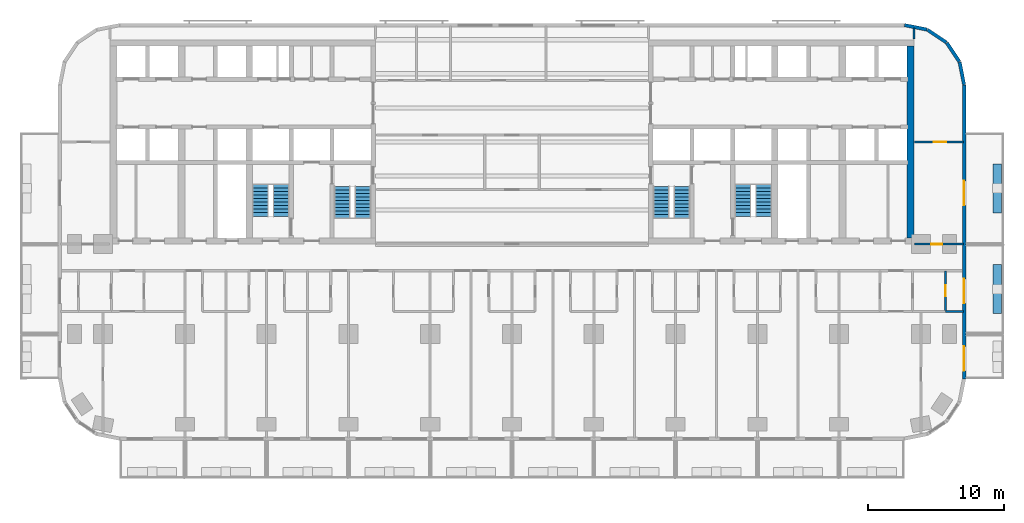
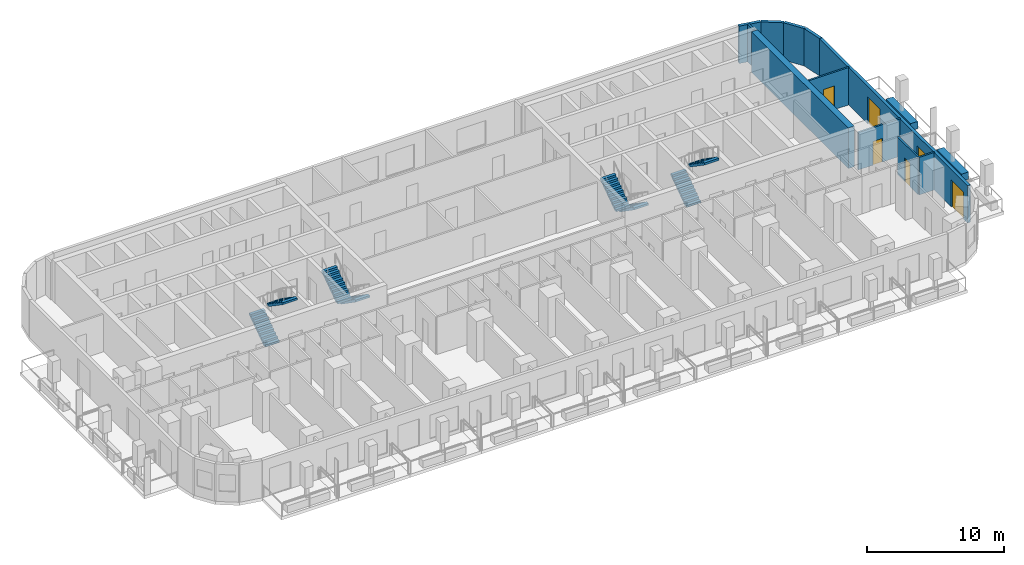
# One storey, part 10 of 15: 13 walls, 8 stair flights, 6 doors, 6 openings, 4 elements without a shape of their own.
"""IFC4 building model written with IfcOpenShell, lengths in metres."""

from ifc_helpers import new_model, si_unit, direction, frame, frame_2d, origin, place, context, subcontext, project, spatial, polyline, rectangle, outline, extrude, material, layer, layer_set, type_object, element, fill, aggregate, save


model = new_model("IFC4")

# Units and contexts
model_context = context("Model", 3, precision=1e-05, world=origin(), true_north=direction((0.0, 1.0)))
body_context = subcontext(model_context, "Body", "Model", "MODEL_VIEW")
ifc_project = project(units=[si_unit("LENGTHUNIT", "METRE"), si_unit("AREAUNIT", "SQUARE_METRE"), si_unit("VOLUMEUNIT", "CUBIC_METRE"), si_unit("PLANEANGLEUNIT", "RADIAN"), si_unit("MASSUNIT", "GRAM", prefix="KILO")], contexts=[model_context])

# Site, building, storey
site_placement = place(None, origin())
site = spatial("IfcSite", under=ifc_project, at=site_placement, CompositionType="ELEMENT")
building_placement = place(site_placement, origin())
building = spatial("IfcBuilding", under=site, at=building_placement, Name="Torana Hotel and Residences", CompositionType="ELEMENT")
storey_placement = place(building_placement, frame((0.0, 0.0, 31.199951171875)))
storey = spatial("IfcBuildingStorey", under=building, at=storey_placement, Name="L06", CompositionType="ELEMENT", Elevation=31.199951171875)

# Walls
ifc_material_1 = material(Name="Concrete C80/95", Category="concrete")
ifc_layer_1 = layer(ifc_material_1, 0.5)
ifc_layer_set_1 = layer_set([ifc_layer_1], Name="CORE WALL 500 C80/95")
wall_type_1 = type_object("IfcWallType", Name="CORE WALL 500 C80/95", PredefinedType="SHEAR", material=ifc_layer_set_1)
wall_1_placement = place(storey_placement, frame((29.25, -14.550048828125, 0.0), z_axis=(0.0, 0.0, 1.0), x_axis=(0.0, 1.0, 0.0)))
element("IfcWall", 1, at=wall_1_placement, inside=storey, type_object=wall_type_1, Name="Core wall E outer", PredefinedType="SHEAR", context=body_context, shape_type="SweptSolid", body=[
    extrude(rectangle(XDim=14.10009765625, YDim=0.5, at=frame_2d((7.050048828125, 0.0))), origin(), (0.0, 0.0, 1.0), 3.60009765625),
])
ifc_material_2 = material(Name="Black aluminium composite panel", Category="aluminium")
ifc_layer_2 = layer(ifc_material_2, 0.00390625, Name="Cladding", Category="cladding")
ifc_material_3 = material(Name="Ventilated air cavity")
ifc_layer_3 = layer(ifc_material_3, 0.0400390625, Name="Ventilated cavity", Category="cavity")
ifc_material_4 = material(Name="Mineral wool insulation")
ifc_layer_4 = layer(ifc_material_4, 0.090087890625, Name="Insulation", Category="insulation")
ifc_material_5 = material(Name="Steel S280GD", Category="steel")
ifc_layer_5 = layer(ifc_material_5, 0.092041015625, Name="Steel stud frame", Category="structure")
ifc_material_6 = material(Name="Fire rated plasterboard")
ifc_layer_6 = layer(ifc_material_6, 0.011962890625, Name="Inner board", Category="finish")
ifc_layer_7 = layer(ifc_material_6, 0.011962890625, Name="Second board", Category="finish")
ifc_layer_set_2 = layer_set([ifc_layer_2, ifc_layer_3, ifc_layer_4, ifc_layer_5, ifc_layer_6, ifc_layer_7], Name="EW1 EXTERNAL WALL BLACK METAL CLAD 250")
wall_type_2 = type_object("IfcWallType", Name="EW1 EXTERNAL WALL BLACK METAL CLAD 250", PredefinedType="SOLIDWALL", material=ifc_layer_set_2)
wall_2_placement = place(storey_placement, frame((33.172607421875, -3.30029296875, 0.0), z_axis=(0.0, 0.0, 1.0), x_axis=(-0.19513878023, 0.980775640221, 0.0)))
element("IfcWall", 2, at=wall_2_placement, inside=storey, type_object=wall_type_2, Name="External wall L06 e0.0", PredefinedType="SOLIDWALL", context=body_context, shape_type="SweptSolid", body=[
    extrude(rectangle(XDim=1.681396484375, YDim=0.25, at=frame_2d((0.8408203125, 0.0))), origin(), (0.0, 0.0, 1.0), 3.320068359375),
])
for number, where, z_axis, x_axis, name in (
    (3, (32.825927734375, -1.60595703125, 0.0), (0.0, 0.0, 1.0), (-0.55555029066, 0.831482937015, 0.0), "External wall L06 e0.1"),
    (4, (31.87109375, -0.1943359375, 0.0), (0.0, 0.0, 1.0), (-0.831482937015, 0.55555029066, 0.0), "External wall L06 e0.2"),
):
    element("IfcWall", number, at=place(storey_placement, frame(where, z_axis=z_axis, x_axis=x_axis)), inside=storey, type_object=wall_type_2, Name=name, PredefinedType="SOLIDWALL", context=body_context, shape_type="SweptSolid", body=[
        extrude(rectangle(XDim=1.65625, YDim=0.25, at=frame_2d((0.828125, 0.0))), origin(), (0.0, 0.0, 1.0), 3.320068359375),
    ])
wall_3_placement = place(storey_placement, frame((30.448974609375, 0.74462890625, 0.0), z_axis=(0.0, 0.0, 1.0), x_axis=(-0.980803419081, 0.194999110559, 0.0)))
element("IfcWall", 5, at=wall_3_placement, inside=storey, type_object=wall_type_2, Name="External wall L06 e0.3", PredefinedType="SOLIDWALL", context=body_context, shape_type="SweptSolid", body=[
    extrude(rectangle(XDim=1.681396484375, YDim=0.25, at=frame_2d((0.8408203125, 0.0))), origin(), (0.0, 0.0, 1.0), 3.320068359375),
])

# Wall, openings, doors
wall_4_placement = place(storey_placement, frame((33.175048828125, -24.87548828125, 0.0), z_axis=(0.0, 0.0, 1.0), x_axis=(0.0, 1.0, 0.0)))
wall_4 = element("IfcWall", 6, at=wall_4_placement, inside=storey, type_object=wall_type_2, Name="External wall L06 e0.19", PredefinedType="SOLIDWALL", context=body_context, shape_type="SweptSolid", body=[
    extrude(rectangle(XDim=21.55078125, YDim=0.25, at=frame_2d((10.775390625, 0.0))), origin(), (0.0, 0.0, 1.0), 3.320068359375),
])
opening_1_placement = place(wall_4_placement, frame((0.575439453125, 0.0, 0.0)))
opening_1 = element("IfcOpeningElement", 7, at=opening_1_placement, cuts=wall_4, Name="Opening L06-E11", PredefinedType="OPENING", context=body_context, shape_type="SweptSolid", body=[
    extrude(rectangle(XDim=1.800048828125, YDim=2.39990234375, at=frame_2d((0.89990234375, 1.199951171875))), frame((0.0, 0.135009765625, 0.0), z_axis=(0.0, -1.0, 0.0), x_axis=(1.0, 0.0, 0.0)), (0.0, 0.0, 1.0), 0.27001953125),
])
opening_2_placement = place(wall_4_placement, frame((5.525390625, 0.0, 0.0)))
opening_2 = element("IfcOpeningElement", 8, at=opening_2_placement, cuts=wall_4, Name="Opening L06-E12", PredefinedType="OPENING", context=body_context, shape_type="SweptSolid", body=[
    extrude(rectangle(XDim=1.800048828125, YDim=2.39990234375, at=frame_2d((0.89990234375, 1.199951171875))), frame((0.0, 0.135009765625, 0.0), z_axis=(0.0, -1.0, 0.0), x_axis=(1.0, 0.0, 0.0)), (0.0, 0.0, 1.0), 0.27001953125),
])
opening_3_placement = place(wall_4_placement, frame((12.725341796875, 0.0, 0.0)))
opening_3 = element("IfcOpeningElement", 9, at=opening_3_placement, cuts=wall_4, Name="Opening L06-E13", PredefinedType="OPENING", context=body_context, shape_type="SweptSolid", body=[
    extrude(rectangle(XDim=1.800048828125, YDim=2.39990234375, at=frame_2d((0.89990234375, 1.199951171875))), frame((0.0, 0.135009765625, 0.0), z_axis=(0.0, -1.0, 0.0), x_axis=(1.0, 0.0, 0.0)), (0.0, 0.0, 1.0), 0.27001953125),
])
ifc_material_7 = material(Name="Dark glass in black aluminium frame", Category="aluminium")
door_type_1 = type_object("IfcDoorType", Name="DB1 BALCONY DOOR 1800x2400", OperationType="DOUBLE_DOOR_SINGLE_SWING", PredefinedType="DOOR", material=ifc_material_7)
door_1_placement = place(opening_1_placement, origin())
door_1 = element("IfcDoor", 10, at=door_1_placement, inside=storey, type_object=door_type_1, Name="Balcony door L06", OperationType="DOUBLE_DOOR_SINGLE_SWING", OverallHeight=2.39990234375, OverallWidth=1.800048828125, PredefinedType="DOOR", context=body_context, shape_type="SweptSolid", body=[
    extrude(rectangle(XDim=1.800048828125, YDim=2.39990234375, at=frame_2d((0.89990234375, 1.199951171875))), frame((0.0, 0.02490234375, 0.0), z_axis=(0.0, -1.0, 0.0), x_axis=(1.0, 0.0, 0.0)), (0.0, 0.0, 1.0), 0.050048828125),
])
fill(opening_1, door_1)
door_2_placement = place(opening_2_placement, origin())
door_2 = element("IfcDoor", 11, at=door_2_placement, inside=storey, type_object=door_type_1, Name="Balcony door L06", OperationType="DOUBLE_DOOR_SINGLE_SWING", OverallHeight=2.39990234375, OverallWidth=1.800048828125, PredefinedType="DOOR", context=body_context, shape_type="SweptSolid", body=[
    extrude(rectangle(XDim=1.800048828125, YDim=2.39990234375, at=frame_2d((0.89990234375, 1.199951171875))), frame((0.0, 0.02490234375, 0.0), z_axis=(0.0, -1.0, 0.0), x_axis=(1.0, 0.0, 0.0)), (0.0, 0.0, 1.0), 0.050048828125),
])
fill(opening_2, door_2)
door_3_placement = place(opening_3_placement, origin())
door_3 = element("IfcDoor", 12, at=door_3_placement, inside=storey, type_object=door_type_1, Name="Balcony door L06", OperationType="DOUBLE_DOOR_SINGLE_SWING", OverallHeight=2.39990234375, OverallWidth=1.800048828125, PredefinedType="DOOR", context=body_context, shape_type="SweptSolid", body=[
    extrude(rectangle(XDim=1.800048828125, YDim=2.39990234375, at=frame_2d((0.89990234375, 1.199951171875))), frame((0.0, 0.02490234375, 0.0), z_axis=(0.0, -1.0, 0.0), x_axis=(1.0, 0.0, 0.0)), (0.0, 0.0, 1.0), 0.050048828125),
])
fill(opening_3, door_3)

# Wall, opening, door
ifc_material_8 = material(Name="Gypsum plaster")
ifc_layer_8 = layer(ifc_material_8, 0.014892578125, Name="Plaster", Category="finish")
ifc_material_9 = material(Name="Concrete blockwork", Category="masonry")
ifc_layer_9 = layer(ifc_material_9, 0.1201171875, Name="Blockwork", Category="structure")
ifc_layer_10 = layer(ifc_material_8, 0.014892578125, Name="Plaster", Category="finish")
ifc_layer_set_3 = layer_set([ifc_layer_8, ifc_layer_9, ifc_layer_10], Name="FIRE PARTITION 150 BLOCKWORK")
wall_type_3 = type_object("IfcWallType", Name="FIRE PARTITION 150 BLOCKWORK", PredefinedType="PARTITIONING", material=ifc_layer_set_3)
wall_5_placement = place(storey_placement, frame((29.550048828125, -15.0, 0.0), z_axis=(0.0, 0.0, 1.0), x_axis=(1.0, 0.0, 0.0)))
wall_5 = element("IfcWall", 13, at=wall_5_placement, inside=storey, type_object=wall_type_3, Name="Partition L06", PredefinedType="PARTITIONING", context=body_context, shape_type="SweptSolid", body=[
    extrude(rectangle(XDim=3.570068359375, YDim=0.14990234375, at=frame_2d((1.78515625, 0.0))), origin(), (0.0, 0.0, 1.0), 3.320068359375),
])
opening_4_placement = place(wall_5_placement, frame((1.205078125, 0.0, 0.0)))
opening_4 = element("IfcOpeningElement", 14, at=opening_4_placement, cuts=wall_5, Name="Opening L06-56", PredefinedType="OPENING", context=body_context, shape_type="SweptSolid", body=[
    extrude(rectangle(XDim=0.800048828125, YDim=2.10009765625, at=frame_2d((0.39990234375, 1.050048828125))), frame((0.0, 0.0849609375, 0.0), z_axis=(0.0, -1.0, 0.0), x_axis=(1.0, 0.0, 0.0)), (0.0, 0.0, 1.0), 0.169921875),
])
ifc_material_10 = material(Name="Steel S235", Category="steel")
door_type_2 = type_object("IfcDoorType", Name="STORE FIRE DOOR D16 800x2100", OperationType="SINGLE_SWING_LEFT", PredefinedType="DOOR", material=ifc_material_10)
door_4_placement = place(opening_4_placement, origin())
door_4 = element("IfcDoor", 15, at=door_4_placement, inside=storey, type_object=door_type_2, Name="Door L06", OperationType="SINGLE_SWING_RIGHT", OverallHeight=2.10009765625, OverallWidth=0.800048828125, PredefinedType="DOOR", context=body_context, shape_type="SweptSolid", body=[
    extrude(rectangle(XDim=0.800048828125, YDim=2.10009765625, at=frame_2d((0.39990234375, 1.050048828125))), frame((0.0, 0.02490234375, 0.0), z_axis=(0.0, -1.0, 0.0), x_axis=(1.0, 0.0, 0.0)), (0.0, 0.0, 1.0), 0.050048828125),
])
fill(opening_4, door_4)

# Walls
ifc_material_11 = material(Name="Gypsum plasterboard")
ifc_layer_11 = layer(ifc_material_11, 0.012451171875, Name="Plasterboard", Category="finish")
ifc_layer_12 = layer(ifc_material_11, 0.012451171875, Name="Plasterboard", Category="finish")
ifc_layer_13 = layer(ifc_material_5, 0.10009765625, Name="Steel studs with mineral wool", Category="insulation")
ifc_layer_14 = layer(ifc_material_11, 0.012451171875, Name="Plasterboard", Category="finish")
ifc_layer_15 = layer(ifc_material_11, 0.012451171875, Name="Plasterboard", Category="finish")
ifc_layer_set_4 = layer_set([ifc_layer_11, ifc_layer_12, ifc_layer_13, ifc_layer_14, ifc_layer_15], Name="PARTITION 150 PLASTERBOARD")
wall_type_4 = type_object("IfcWallType", Name="PARTITION 150 PLASTERBOARD", PredefinedType="PARTITIONING", material=ifc_layer_set_4)
wall_6_placement = place(storey_placement, frame((29.5, 0.050048828125, 0.0), z_axis=(0.0, 0.0, 1.0), x_axis=(0.0, 1.0, 0.0)))
element("IfcWall", 16, at=wall_6_placement, inside=storey, type_object=wall_type_4, Name="Partition L06", PredefinedType="PARTITIONING", context=body_context, shape_type="SweptSolid", body=[
    extrude(rectangle(XDim=0.8271484375, YDim=0.14990234375, at=frame_2d((0.41357421875, 0.0))), origin(), (0.0, 0.0, 1.0), 3.320068359375),
])
ifc_material_12 = material(Name="Concrete C40/50 precast", Category="concrete")
ifc_layer_16 = layer(ifc_material_12, 0.10009765625, Name="Planter shell", Category="structure")
ifc_material_13 = material(Name="Root resistant membrane")
ifc_layer_17 = layer(ifc_material_13, 0.00390625, Name="Waterproofing membrane", Category="membrane")
ifc_material_14 = material(Name="Drainage board with filter fleece")
ifc_layer_18 = layer(ifc_material_14, 0.02001953125, Name="Drainage board", Category="drainage")
ifc_material_15 = material(Name="Growing medium")
ifc_layer_19 = layer(ifc_material_15, 0.47607421875, Name="Planting substrate", Category="soil")
ifc_layer_set_5 = layer_set([ifc_layer_16, ifc_layer_17, ifc_layer_18, ifc_layer_19], Name="PL1 BALCONY PLANTER 600")
wall_type_5 = type_object("IfcWallType", Name="PL1 BALCONY PLANTER 600", PredefinedType="USERDEFINED", material=ifc_layer_set_5)
wall_7_placement = place(storey_placement, frame((35.60009765625, -16.5, 0.0), z_axis=(0.0, 0.0, 1.0), x_axis=(0.0, -1.0, 0.0)))
element("IfcWall", 17, at=wall_7_placement, inside=storey, type_object=wall_type_5, Name="Planter 15", ObjectType="PLANTER", PredefinedType="USERDEFINED", context=body_context, shape_type="SweptSolid", body=[
    extrude(rectangle(XDim=3.60009765625, YDim=0.60009765625, at=frame_2d((1.800048828125, 0.0))), origin(), (0.0, 0.0, 1.0), 0.650146484375),
])
wall_8_placement = place(storey_placement, frame((35.60009765625, -9.10009765625, 0.0), z_axis=(0.0, 0.0, 1.0), x_axis=(0.0, -1.0, 0.0)))
element("IfcWall", 18, at=wall_8_placement, inside=storey, type_object=wall_type_5, Name="Planter 16", ObjectType="PLANTER", PredefinedType="USERDEFINED", context=body_context, shape_type="SweptSolid", body=[
    extrude(rectangle(XDim=3.599853515625, YDim=0.60009765625, at=frame_2d((1.7998046875, 0.0))), origin(), (0.0, 0.0, 1.0), 0.650146484375),
])

# Wall, opening, door
ifc_material_16 = material(Name="Ceramic tile on adhesive")
ifc_layer_20 = layer(ifc_material_16, 0.010009765625, Name="Wall tile", Category="finish")
ifc_material_17 = material(Name="Cement render")
ifc_layer_21 = layer(ifc_material_17, 0.010009765625, Name="Render", Category="finish")
ifc_layer_22 = layer(ifc_material_9, 0.110107421875, Name="Blockwork", Category="structure")
ifc_layer_23 = layer(ifc_material_17, 0.010009765625, Name="Render", Category="finish")
ifc_layer_24 = layer(ifc_material_16, 0.010009765625, Name="Wall tile", Category="finish")
ifc_layer_set_6 = layer_set([ifc_layer_20, ifc_layer_21, ifc_layer_22, ifc_layer_23, ifc_layer_24], Name="WC PARTITION 150")
wall_type_6 = type_object("IfcWallType", Name="WC PARTITION 150", PredefinedType="PLUMBINGWALL", material=ifc_layer_set_6)
wall_9_placement = place(storey_placement, frame((31.800048828125, -19.949951171875, 0.0), z_axis=(0.0, 0.0, 1.0), x_axis=(0.0, 1.0, 0.0)))
wall_9 = element("IfcWall", 19, at=wall_9_placement, inside=storey, type_object=wall_type_6, Name="Partition L06", PredefinedType="PLUMBINGWALL", context=body_context, shape_type="SweptSolid", body=[
    extrude(rectangle(XDim=3.0, YDim=0.14990234375, at=frame_2d((1.5, 0.0))), origin(), (0.0, 0.0, 1.0), 3.320068359375),
])
opening_5_placement = place(wall_9_placement, frame((1.1201171875, 0.0, 0.0)))
opening_5 = element("IfcOpeningElement", 20, at=opening_5_placement, cuts=wall_9, Name="Opening L06-88", PredefinedType="OPENING", context=body_context, shape_type="SweptSolid", body=[
    extrude(rectangle(XDim=0.800048828125, YDim=2.10009765625, at=frame_2d((0.39990234375, 1.050048828125))), frame((0.0, 0.0849609375, 0.0), z_axis=(0.0, -1.0, 0.0), x_axis=(1.0, 0.0, 0.0)), (0.0, 0.0, 1.0), 0.169921875),
])
ifc_material_18 = material(Name="Timber door, painted", Category="wood")
door_type_3 = type_object("IfcDoorType", Name="BATH DOOR D13 800x2100", OperationType="SINGLE_SWING_LEFT", PredefinedType="DOOR", material=ifc_material_18)
door_5_placement = place(opening_5_placement, origin())
door_5 = element("IfcDoor", 21, at=door_5_placement, inside=storey, type_object=door_type_3, Name="Door L06", OperationType="SINGLE_SWING_RIGHT", OverallHeight=2.10009765625, OverallWidth=0.800048828125, PredefinedType="DOOR", context=body_context, shape_type="SweptSolid", body=[
    extrude(rectangle(XDim=0.800048828125, YDim=2.10009765625, at=frame_2d((0.39990234375, 1.050048828125))), frame((0.0, 0.02490234375, 0.0), z_axis=(0.0, -1.0, 0.0), x_axis=(1.0, 0.0, 0.0)), (0.0, 0.0, 1.0), 0.050048828125),
])
fill(opening_5, door_5)

# Wall
wall_10_placement = place(storey_placement, frame((31.800048828125, -19.949951171875, 0.0), z_axis=(0.0, 0.0, 1.0), x_axis=(1.0, 0.0, 0.0)))
element("IfcWall", 22, at=wall_10_placement, inside=storey, type_object=wall_type_6, Name="Partition L06", PredefinedType="PLUMBINGWALL", context=body_context, shape_type="SweptSolid", body=[
    extrude(rectangle(XDim=1.320068359375, YDim=0.14990234375, at=frame_2d((0.66015625, 0.0))), origin(), (0.0, 0.0, 1.0), 3.320068359375),
])

# Wall, opening, door
wall_11_placement = place(storey_placement, frame((29.550048828125, -7.5, 0.0), z_axis=(0.0, 0.0, 1.0), x_axis=(1.0, 0.0, 0.0)))
wall_11 = element("IfcWall", 23, at=wall_11_placement, inside=storey, type_object=wall_type_6, Name="Partition L06", PredefinedType="PLUMBINGWALL", context=body_context, shape_type="SweptSolid", body=[
    extrude(rectangle(XDim=3.570068359375, YDim=0.14990234375, at=frame_2d((1.78515625, 0.0))), origin(), (0.0, 0.0, 1.0), 3.320068359375),
])
opening_6_placement = place(wall_11_placement, frame((1.39990234375, 0.0, 0.0)))
opening_6 = element("IfcOpeningElement", 24, at=opening_6_placement, cuts=wall_11, Name="Opening L06-91", PredefinedType="OPENING", context=body_context, shape_type="SweptSolid", body=[
    extrude(rectangle(XDim=0.89990234375, YDim=2.10009765625, at=frame_2d((0.449951171875, 1.050048828125))), frame((0.0, 0.0849609375, 0.0), z_axis=(0.0, -1.0, 0.0), x_axis=(1.0, 0.0, 0.0)), (0.0, 0.0, 1.0), 0.169921875),
])
ifc_material_19 = material(Name="Timber door, oiled ash", Category="wood")
door_type_4 = type_object("IfcDoorType", Name="ROOM DOOR D7 900x2100", OperationType="SINGLE_SWING_LEFT", PredefinedType="DOOR", material=ifc_material_19)
door_6_placement = place(opening_6_placement, origin())
door_6 = element("IfcDoor", 25, at=door_6_placement, inside=storey, type_object=door_type_4, Name="Door L06", OperationType="SINGLE_SWING_LEFT", OverallHeight=2.10009765625, OverallWidth=0.89990234375, PredefinedType="DOOR", context=body_context, shape_type="SweptSolid", body=[
    extrude(rectangle(XDim=0.89990234375, YDim=2.10009765625, at=frame_2d((0.449951171875, 1.050048828125))), frame((0.0, 0.02490234375, 0.0), z_axis=(0.0, -1.0, 0.0), x_axis=(1.0, 0.0, 0.0)), (0.0, 0.0, 1.0), 0.050048828125),
])
fill(opening_6, door_6)

# Stair, stair flights
ifc_material_20 = material(Name="Concrete C40/50 precast", Category="concrete")
stair_type_1 = type_object("IfcStairType", Name="STAIR ST1 HALF TURN 1200", PredefinedType="HALF_TURN_STAIR", material=ifc_material_20)
stair_1_placement = place(storey_placement, origin())
stair_1 = element("IfcStair", 26, at=stair_1_placement, inside=storey, type_object=stair_type_1, Name="Stair ST1 L06", PredefinedType="HALF_TURN_STAIR")
ifc_material_21 = material(Name="Concrete C40/50 precast", Category="concrete")
stair_flight_type = type_object("IfcStairFlightType", Name="STAIR FLIGHT 1200 PRECAST", PredefinedType="STRAIGHT", material=ifc_material_21)
stair_flight_1_placement = place(storey_placement, frame((-10.949951171875, -10.75, 0.0), z_axis=(0.0, 0.0, 1.0), x_axis=(0.0, -1.0, 0.0)))
stair_flight_1 = element("IfcStairFlight", 27, at=stair_flight_1_placement, type_object=stair_flight_type, Name="ST1 flight 1", NumberOfRisers=10, NumberOfTreads=9, PredefinedType="STRAIGHT", RiserHeight=0.18, TreadLength=0.26, context=body_context, shape_type="SweptSolid", body=[
    extrude(outline(polyline([(0.0, 0.0), (0.0, 0.179931640625), (0.260009765625, 0.179931640625), (0.260009765625, 0.360107421875), (0.52001953125, 0.360107421875), (0.52001953125, 0.5400390625), (0.780029296875, 0.5400390625), (0.780029296875, 0.719970703125), (1.0400390625, 0.719970703125), (1.0400390625, 0.89990234375), (1.300048828125, 0.89990234375), (1.300048828125, 1.080078125), (1.56005859375, 1.080078125), (1.56005859375, 1.260009765625), (1.820068359375, 1.260009765625), (1.820068359375, 1.43994140625), (2.080078125, 1.43994140625), (2.080078125, 1.6201171875), (2.340087890625, 1.6201171875), (2.340087890625, 1.800048828125), (2.340087890625, 1.437744140625), (0.263427734375, 0.0), (0.0, 0.0)])), frame((0.0, 0.60009765625, 0.0), z_axis=(0.0, -1.0, 0.0), x_axis=(1.0, 0.0, 0.0)), (0.0, 0.0, 1.0), 1.199951171875),
])
stair_flight_2_placement = place(storey_placement, frame((-12.449951171875, -13.090087890625, 1.800048828125), z_axis=(0.0, 0.0, 1.0), x_axis=(0.0, 1.0, 0.0)))
stair_flight_2 = element("IfcStairFlight", 28, at=stair_flight_2_placement, type_object=stair_flight_type, Name="ST1 flight 2", NumberOfRisers=10, NumberOfTreads=9, PredefinedType="STRAIGHT", RiserHeight=0.18, TreadLength=0.26, context=body_context, shape_type="SweptSolid", body=[
    extrude(outline(polyline([(0.0, 0.0), (0.0, 0.179931640625), (0.260009765625, 0.179931640625), (0.260009765625, 0.360107421875), (0.52001953125, 0.360107421875), (0.52001953125, 0.5400390625), (0.780029296875, 0.5400390625), (0.780029296875, 0.719970703125), (1.0400390625, 0.719970703125), (1.0400390625, 0.89990234375), (1.300048828125, 0.89990234375), (1.300048828125, 1.080078125), (1.56005859375, 1.080078125), (1.56005859375, 1.260009765625), (1.820068359375, 1.260009765625), (1.820068359375, 1.43994140625), (2.080078125, 1.43994140625), (2.080078125, 1.6201171875), (2.340087890625, 1.6201171875), (2.340087890625, 1.800048828125), (2.340087890625, 1.437744140625), (0.263427734375, 0.0), (0.0, 0.0)])), frame((0.0, 0.60009765625, 0.0), z_axis=(0.0, -1.0, 0.0), x_axis=(1.0, 0.0, 0.0)), (0.0, 0.0, 1.0), 1.199951171875),
])
aggregate(stair_1, [stair_flight_1, stair_flight_2])

ifc_material_22 = material(Name="Concrete C40/50 precast", Category="concrete")
stair_type_2 = type_object("IfcStairType", Name="STAIR ST2 HALF TURN 1200", PredefinedType="HALF_TURN_STAIR", material=ifc_material_22)
stair_2_placement = place(storey_placement, origin())
stair_2 = element("IfcStair", 29, at=stair_2_placement, inside=storey, type_object=stair_type_2, Name="Stair ST2 L06", PredefinedType="HALF_TURN_STAIR")
stair_flight_3_placement = place(storey_placement, frame((-18.449951171875, -12.949951171875, 0.0), z_axis=(0.0, 0.0, 1.0), x_axis=(0.0, 1.0, 0.0)))
stair_flight_3 = element("IfcStairFlight", 30, at=stair_flight_3_placement, type_object=stair_flight_type, Name="ST2 flight 1", NumberOfRisers=10, NumberOfTreads=9, PredefinedType="STRAIGHT", RiserHeight=0.18, TreadLength=0.26, context=body_context, shape_type="SweptSolid", body=[
    extrude(outline(polyline([(0.0, 0.0), (0.0, 0.179931640625), (0.260009765625, 0.179931640625), (0.260009765625, 0.360107421875), (0.52001953125, 0.360107421875), (0.52001953125, 0.5400390625), (0.780029296875, 0.5400390625), (0.780029296875, 0.719970703125), (1.0400390625, 0.719970703125), (1.0400390625, 0.89990234375), (1.300048828125, 0.89990234375), (1.300048828125, 1.080078125), (1.56005859375, 1.080078125), (1.56005859375, 1.260009765625), (1.820068359375, 1.260009765625), (1.820068359375, 1.43994140625), (2.080078125, 1.43994140625), (2.080078125, 1.6201171875), (2.340087890625, 1.6201171875), (2.340087890625, 1.800048828125), (2.340087890625, 1.437744140625), (0.263427734375, 0.0), (0.0, 0.0)])), frame((0.0, 0.60009765625, 0.0), z_axis=(0.0, -1.0, 0.0), x_axis=(1.0, 0.0, 0.0)), (0.0, 0.0, 1.0), 1.199951171875),
])
stair_flight_4_placement = place(storey_placement, frame((-16.949951171875, -10.610107421875, 1.800048828125), z_axis=(0.0, 0.0, 1.0), x_axis=(0.0, -1.0, 0.0)))
stair_flight_4 = element("IfcStairFlight", 31, at=stair_flight_4_placement, type_object=stair_flight_type, Name="ST2 flight 2", NumberOfRisers=10, NumberOfTreads=9, PredefinedType="STRAIGHT", RiserHeight=0.18, TreadLength=0.26, context=body_context, shape_type="SweptSolid", body=[
    extrude(outline(polyline([(0.0, 0.0), (0.0, 0.179931640625), (0.260009765625, 0.179931640625), (0.260009765625, 0.360107421875), (0.52001953125, 0.360107421875), (0.52001953125, 0.5400390625), (0.780029296875, 0.5400390625), (0.780029296875, 0.719970703125), (1.0400390625, 0.719970703125), (1.0400390625, 0.89990234375), (1.300048828125, 0.89990234375), (1.300048828125, 1.080078125), (1.56005859375, 1.080078125), (1.56005859375, 1.260009765625), (1.820068359375, 1.260009765625), (1.820068359375, 1.43994140625), (2.080078125, 1.43994140625), (2.080078125, 1.6201171875), (2.340087890625, 1.6201171875), (2.340087890625, 1.800048828125), (2.340087890625, 1.437744140625), (0.263427734375, 0.0), (0.0, 0.0)])), frame((0.0, 0.60009765625, 0.0), z_axis=(0.0, -1.0, 0.0), x_axis=(1.0, 0.0, 0.0)), (0.0, 0.0, 1.0), 1.199951171875),
])
aggregate(stair_2, [stair_flight_3, stair_flight_4])

ifc_material_23 = material(Name="Concrete C40/50 precast", Category="concrete")
stair_type_3 = type_object("IfcStairType", Name="STAIR ST3 HALF TURN 1200", PredefinedType="HALF_TURN_STAIR", material=ifc_material_23)
stair_3_placement = place(storey_placement, origin())
stair_3 = element("IfcStair", 32, at=stair_3_placement, inside=storey, type_object=stair_type_3, Name="Stair ST3 L06", PredefinedType="HALF_TURN_STAIR")
stair_flight_5_placement = place(storey_placement, frame((12.449951171875, -10.75, 0.0), z_axis=(0.0, 0.0, 1.0), x_axis=(0.0, -1.0, 0.0)))
stair_flight_5 = element("IfcStairFlight", 33, at=stair_flight_5_placement, type_object=stair_flight_type, Name="ST3 flight 1", NumberOfRisers=10, NumberOfTreads=9, PredefinedType="STRAIGHT", RiserHeight=0.18, TreadLength=0.26, context=body_context, shape_type="SweptSolid", body=[
    extrude(outline(polyline([(0.0, 0.0), (0.0, 0.179931640625), (0.260009765625, 0.179931640625), (0.260009765625, 0.360107421875), (0.52001953125, 0.360107421875), (0.52001953125, 0.5400390625), (0.780029296875, 0.5400390625), (0.780029296875, 0.719970703125), (1.0400390625, 0.719970703125), (1.0400390625, 0.89990234375), (1.300048828125, 0.89990234375), (1.300048828125, 1.080078125), (1.56005859375, 1.080078125), (1.56005859375, 1.260009765625), (1.820068359375, 1.260009765625), (1.820068359375, 1.43994140625), (2.080078125, 1.43994140625), (2.080078125, 1.6201171875), (2.340087890625, 1.6201171875), (2.340087890625, 1.800048828125), (2.340087890625, 1.437744140625), (0.263427734375, 0.0), (0.0, 0.0)])), frame((0.0, 0.60009765625, 0.0), z_axis=(0.0, -1.0, 0.0), x_axis=(1.0, 0.0, 0.0)), (0.0, 0.0, 1.0), 1.199951171875),
])
stair_flight_6_placement = place(storey_placement, frame((10.949951171875, -13.090087890625, 1.800048828125), z_axis=(0.0, 0.0, 1.0), x_axis=(0.0, 1.0, 0.0)))
stair_flight_6 = element("IfcStairFlight", 34, at=stair_flight_6_placement, type_object=stair_flight_type, Name="ST3 flight 2", NumberOfRisers=10, NumberOfTreads=9, PredefinedType="STRAIGHT", RiserHeight=0.18, TreadLength=0.26, context=body_context, shape_type="SweptSolid", body=[
    extrude(outline(polyline([(0.0, 0.0), (0.0, 0.179931640625), (0.260009765625, 0.179931640625), (0.260009765625, 0.360107421875), (0.52001953125, 0.360107421875), (0.52001953125, 0.5400390625), (0.780029296875, 0.5400390625), (0.780029296875, 0.719970703125), (1.0400390625, 0.719970703125), (1.0400390625, 0.89990234375), (1.300048828125, 0.89990234375), (1.300048828125, 1.080078125), (1.56005859375, 1.080078125), (1.56005859375, 1.260009765625), (1.820068359375, 1.260009765625), (1.820068359375, 1.43994140625), (2.080078125, 1.43994140625), (2.080078125, 1.6201171875), (2.340087890625, 1.6201171875), (2.340087890625, 1.800048828125), (2.340087890625, 1.437744140625), (0.263427734375, 0.0), (0.0, 0.0)])), frame((0.0, 0.60009765625, 0.0), z_axis=(0.0, -1.0, 0.0), x_axis=(1.0, 0.0, 0.0)), (0.0, 0.0, 1.0), 1.199951171875),
])
aggregate(stair_3, [stair_flight_5, stair_flight_6])

ifc_material_24 = material(Name="Concrete C40/50 precast", Category="concrete")
stair_type_4 = type_object("IfcStairType", Name="STAIR ST4 HALF TURN 1200", PredefinedType="HALF_TURN_STAIR", material=ifc_material_24)
stair_4_placement = place(storey_placement, origin())
stair_4 = element("IfcStair", 35, at=stair_4_placement, inside=storey, type_object=stair_type_4, Name="Stair ST4 L06", PredefinedType="HALF_TURN_STAIR")
stair_flight_7_placement = place(storey_placement, frame((16.949951171875, -12.949951171875, 0.0), z_axis=(0.0, 0.0, 1.0), x_axis=(0.0, 1.0, 0.0)))
stair_flight_7 = element("IfcStairFlight", 36, at=stair_flight_7_placement, type_object=stair_flight_type, Name="ST4 flight 1", NumberOfRisers=10, NumberOfTreads=9, PredefinedType="STRAIGHT", RiserHeight=0.18, TreadLength=0.26, context=body_context, shape_type="SweptSolid", body=[
    extrude(outline(polyline([(0.0, 0.0), (0.0, 0.179931640625), (0.260009765625, 0.179931640625), (0.260009765625, 0.360107421875), (0.52001953125, 0.360107421875), (0.52001953125, 0.5400390625), (0.780029296875, 0.5400390625), (0.780029296875, 0.719970703125), (1.0400390625, 0.719970703125), (1.0400390625, 0.89990234375), (1.300048828125, 0.89990234375), (1.300048828125, 1.080078125), (1.56005859375, 1.080078125), (1.56005859375, 1.260009765625), (1.820068359375, 1.260009765625), (1.820068359375, 1.43994140625), (2.080078125, 1.43994140625), (2.080078125, 1.6201171875), (2.340087890625, 1.6201171875), (2.340087890625, 1.800048828125), (2.340087890625, 1.437744140625), (0.263427734375, 0.0), (0.0, 0.0)])), frame((0.0, 0.60009765625, 0.0), z_axis=(0.0, -1.0, 0.0), x_axis=(1.0, 0.0, 0.0)), (0.0, 0.0, 1.0), 1.199951171875),
])
stair_flight_8_placement = place(storey_placement, frame((18.449951171875, -10.610107421875, 1.800048828125), z_axis=(0.0, 0.0, 1.0), x_axis=(0.0, -1.0, 0.0)))
stair_flight_8 = element("IfcStairFlight", 37, at=stair_flight_8_placement, type_object=stair_flight_type, Name="ST4 flight 2", NumberOfRisers=10, NumberOfTreads=9, PredefinedType="STRAIGHT", RiserHeight=0.18, TreadLength=0.26, context=body_context, shape_type="SweptSolid", body=[
    extrude(outline(polyline([(0.0, 0.0), (0.0, 0.179931640625), (0.260009765625, 0.179931640625), (0.260009765625, 0.360107421875), (0.52001953125, 0.360107421875), (0.52001953125, 0.5400390625), (0.780029296875, 0.5400390625), (0.780029296875, 0.719970703125), (1.0400390625, 0.719970703125), (1.0400390625, 0.89990234375), (1.300048828125, 0.89990234375), (1.300048828125, 1.080078125), (1.56005859375, 1.080078125), (1.56005859375, 1.260009765625), (1.820068359375, 1.260009765625), (1.820068359375, 1.43994140625), (2.080078125, 1.43994140625), (2.080078125, 1.6201171875), (2.340087890625, 1.6201171875), (2.340087890625, 1.800048828125), (2.340087890625, 1.437744140625), (0.263427734375, 0.0), (0.0, 0.0)])), frame((0.0, 0.60009765625, 0.0), z_axis=(0.0, -1.0, 0.0), x_axis=(1.0, 0.0, 0.0)), (0.0, 0.0, 1.0), 1.199951171875),
])
aggregate(stair_4, [stair_flight_7, stair_flight_8])

save(model, "model.ifc")
